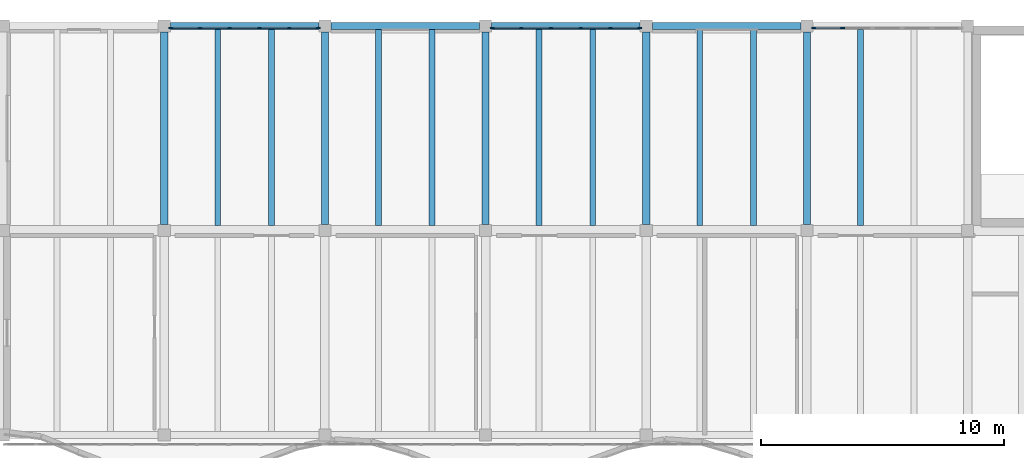
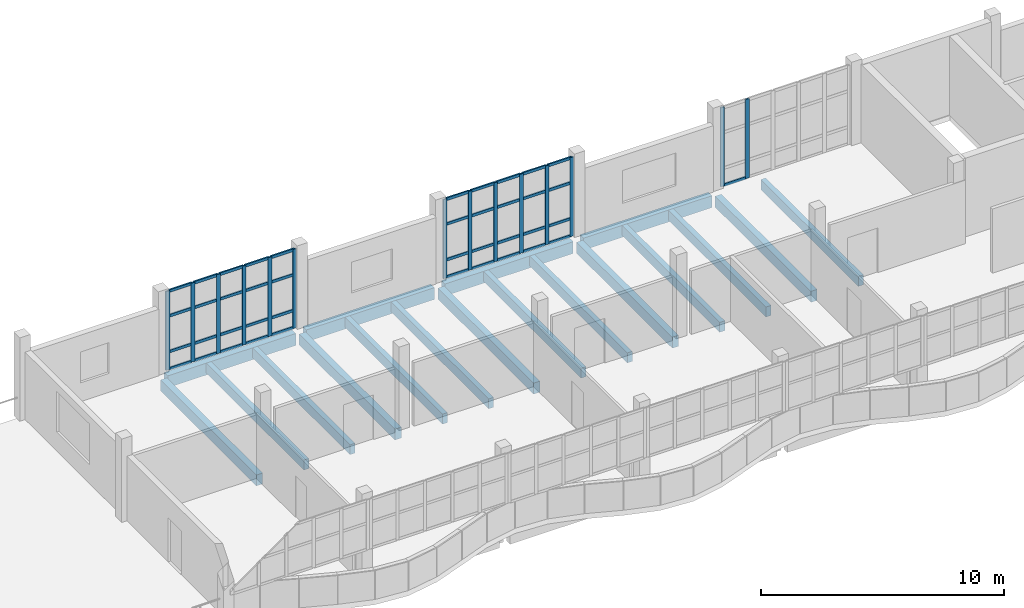
# One storey, part 11 of 47: 55 members, 18 beams, 3 elements without a shape of their own.
"""IFC4 building model written with IfcOpenShell, lengths in metres."""

from ifc_helpers import new_model, si_unit, direction, frame, origin, origin_2d, place, context, subcontext, project, spatial, rectangle, extrude, material, material_profile, profile_set, type_object, element, aggregate, save


model = new_model("IFC4")

# Units and contexts
model_context = context("Model", 3, precision=1e-05, world=origin(), true_north=direction((0.0, 1.0)))
body_context = subcontext(model_context, "Body", "Model", "MODEL_VIEW")
ifc_project = project(units=[si_unit("LENGTHUNIT", "METRE"), si_unit("AREAUNIT", "SQUARE_METRE"), si_unit("VOLUMEUNIT", "CUBIC_METRE"), si_unit("PLANEANGLEUNIT", "RADIAN"), si_unit("MASSUNIT", "GRAM", prefix="KILO")], contexts=[model_context])

# Site, building, storey
site_placement = place(None, origin())
site = spatial("IfcSite", under=ifc_project, at=site_placement, CompositionType="ELEMENT")
building_placement = place(site_placement, origin())
building = spatial("IfcBuilding", under=site, at=building_placement, Name="Qaldarim Faculty of Natural and Applied Sciences", CompositionType="ELEMENT")
storey_placement = place(building_placement, frame((0.0, 0.0, 22.800048828125)))
storey = spatial("IfcBuildingStorey", under=building, at=storey_placement, Name="L05", CompositionType="ELEMENT", Elevation=22.800048828125)

# Beams
ifc_material_1 = material(Name="Concrete C40/50", Category="concrete")
ifc_material_profile_1 = material_profile(ifc_material_1, rectangle(XDim=0.300048828125, YDim=0.550048828125, at=origin_2d()), Name="RC-B300x550")
ifc_profile_set_1 = profile_set([ifc_material_profile_1], Name="Concrete C40/50")
beam_type_1 = type_object("IfcBeamType", Name="FloorBeam-RC300x550", PredefinedType="BEAM", material=ifc_profile_set_1)
for number, where, z_axis, x_axis, name in (
    (1, (66.0, 109.449951171875, -0.53515625), (0.0, 1.0, 0.0), (-1.0, 0.0, 0.0), "Beam RC-B300x550 L04 X11/Y14-Y15"),
    (2, (72.60009765625, 109.449951171875, -0.53515625), (0.0, 1.0, 0.0), (-1.0, 0.0, 0.0), "Beam RC-B300x550 L04 X12/Y14-Y15"),
    (3, (79.199951171875, 109.449951171875, -0.53515625), (0.0, 1.0, 0.0), (-1.0, 0.0, 0.0), "Beam RC-B300x550 L04 X13/Y14-Y15"),
    (4, (85.800048828125, 109.449951171875, -0.53515625), (0.0, 1.0, 0.0), (-1.0, 0.0, 0.0), "Beam RC-B300x550 L04 X14/Y14-Y15"),
    (5, (92.39990234375, 109.449951171875, -0.53515625), (0.0, 1.0, 0.0), (-1.0, 0.0, 0.0), "Beam RC-B300x550 L04 X15/Y14-Y15"),
):
    element("IfcBeam", number, at=place(storey_placement, frame(where, z_axis=z_axis, x_axis=x_axis)), inside=storey, type_object=beam_type_1, Name=name, PredefinedType="BEAM", context=body_context, shape_type="SweptSolid", body=[
        extrude(rectangle(XDim=0.300048828125, YDim=0.550048828125, at=origin_2d()), origin(), (0.0, 0.0, 1.0), 7.900146484375),
    ])
ifc_material_profile_2 = material_profile(ifc_material_1, rectangle(XDim=0.239990234375, YDim=0.5, at=origin_2d()), Name="RC-J240x500")
ifc_profile_set_2 = profile_set([ifc_material_profile_2], Name="Concrete C40/50")
beam_type_2 = type_object("IfcBeamType", Name="HeavyJoist-RC240x500", PredefinedType="JOIST", material=ifc_profile_set_2)
for number, where, z_axis, x_axis, name in (
    (6, (68.199951171875, 109.39990234375, -0.510009765625), (0.0, 1.0, 0.0), (-1.0, 0.0, 0.0), "Laboratory joist L04 bay X11Y14-1"),
    (7, (70.39990234375, 109.39990234375, -0.510009765625), (0.0, 1.0, 0.0), (-1.0, 0.0, 0.0), "Laboratory joist L04 bay X11Y14-2"),
    (8, (74.800048828125, 109.39990234375, -0.510009765625), (0.0, 1.0, 0.0), (-1.0, 0.0, 0.0), "Laboratory joist L04 bay X12Y14-1"),
    (9, (77.0, 109.39990234375, -0.510009765625), (0.0, 1.0, 0.0), (-1.0, 0.0, 0.0), "Laboratory joist L04 bay X12Y14-2"),
    (10, (81.39990234375, 109.39990234375, -0.510009765625), (0.0, 1.0, 0.0), (-1.0, 0.0, 0.0), "Laboratory joist L04 bay X13Y14-1"),
    (11, (83.60009765625, 109.39990234375, -0.510009765625), (0.0, 1.0, 0.0), (-1.0, 0.0, 0.0), "Laboratory joist L04 bay X13Y14-2"),
    (12, (88.0, 109.39990234375, -0.510009765625), (0.0, 1.0, 0.0), (-1.0, 0.0, 0.0), "Laboratory joist L04 bay X14Y14-1"),
    (13, (90.199951171875, 109.39990234375, -0.510009765625), (0.0, 1.0, 0.0), (-1.0, 0.0, 0.0), "Laboratory joist L04 bay X14Y14-2"),
    (14, (94.60009765625, 109.39990234375, -0.510009765625), (0.0, 1.0, 0.0), (-1.0, 0.0, 0.0), "Laboratory joist L04 bay X15Y14-1"),
):
    element("IfcBeam", number, at=place(storey_placement, frame(where, z_axis=z_axis, x_axis=x_axis)), inside=storey, type_object=beam_type_2, Name=name, PredefinedType="JOIST", context=body_context, shape_type="SweptSolid", body=[
        extrude(rectangle(XDim=0.239990234375, YDim=0.5, at=origin_2d()), origin(), (0.0, 0.0, 1.0), 8.050048828125),
    ])

# Curtain wall, members
ifc_material_2 = material(Name="Anodised aluminium AW-6063", Category="aluminium")
curtain_wall_type = type_object("IfcCurtainWallType", Name="CurtainWallSystem-M1200", PredefinedType="USERDEFINED", material=ifc_material_2)
curtain_wall_1_placement = place(storey_placement, origin())
curtain_wall_1 = element("IfcCurtainWall", 15, at=curtain_wall_1_placement, inside=storey, type_object=curtain_wall_type, Name="Curtain wall CW-L05-N-X11Y14", ObjectType="STICK CURTAIN WALL", PredefinedType="USERDEFINED")
ifc_material_profile_3 = material_profile(ifc_material_2, rectangle(XDim=0.070068359375, YDim=0.179931640625, at=origin_2d()), Name="ALU-M70x180")
ifc_profile_set_3 = profile_set([ifc_material_profile_3], Name="Anodised aluminium AW-6063")
member_type_1 = type_object("IfcMemberType", Name="Mullion-ALU70x180", PredefinedType="MULLION", material=ifc_profile_set_3)
member_1_placement = place(storey_placement, frame((72.320068359375, 117.52001953125, 0.0), z_axis=(0.0, 0.0, 1.0), x_axis=(0.0, -1.0, 0.0)))
member_1 = element("IfcMember", 16, at=member_1_placement, type_object=member_type_1, Name="Mullion 1 of CW-L05-N-X11Y14", PredefinedType="MULLION", context=body_context, shape_type="SweptSolid", body=[
    extrude(rectangle(XDim=0.070068359375, YDim=0.179931640625, at=origin_2d()), origin(), (0.0, 0.0, 1.0), 3.97998046875),
])
member_2_placement = place(storey_placement, frame((71.133056640625, 117.52001953125, 0.0), z_axis=(0.0, 0.0, 1.0), x_axis=(0.0, -1.0, 0.0)))
member_2 = element("IfcMember", 17, at=member_2_placement, type_object=member_type_1, Name="Mullion 2 of CW-L05-N-X11Y14", PredefinedType="MULLION", context=body_context, shape_type="SweptSolid", body=[
    extrude(rectangle(XDim=0.070068359375, YDim=0.179931640625, at=origin_2d()), origin(), (0.0, 0.0, 1.0), 3.97998046875),
])
member_3_placement = place(storey_placement, frame((69.910888671875, 117.52001953125, 0.0), z_axis=(0.0, 0.0, 1.0), x_axis=(0.0, -1.0, 0.0)))
member_3 = element("IfcMember", 18, at=member_3_placement, type_object=member_type_1, Name="Mullion 3 of CW-L05-N-X11Y14", PredefinedType="MULLION", context=body_context, shape_type="SweptSolid", body=[
    extrude(rectangle(XDim=0.070068359375, YDim=0.179931640625, at=origin_2d()), origin(), (0.0, 0.0, 1.0), 3.97998046875),
])
member_4_placement = place(storey_placement, frame((68.68896484375, 117.52001953125, 0.0), z_axis=(0.0, 0.0, 1.0), x_axis=(0.0, -1.0, 0.0)))
member_4 = element("IfcMember", 19, at=member_4_placement, type_object=member_type_1, Name="Mullion 4 of CW-L05-N-X11Y14", PredefinedType="MULLION", context=body_context, shape_type="SweptSolid", body=[
    extrude(rectangle(XDim=0.070068359375, YDim=0.179931640625, at=origin_2d()), origin(), (0.0, 0.0, 1.0), 3.97998046875),
])
member_5_placement = place(storey_placement, frame((67.467041015625, 117.52001953125, 0.0), z_axis=(0.0, 0.0, 1.0), x_axis=(0.0, -1.0, 0.0)))
member_5 = element("IfcMember", 20, at=member_5_placement, type_object=member_type_1, Name="Mullion 5 of CW-L05-N-X11Y14", PredefinedType="MULLION", context=body_context, shape_type="SweptSolid", body=[
    extrude(rectangle(XDim=0.070068359375, YDim=0.179931640625, at=origin_2d()), origin(), (0.0, 0.0, 1.0), 3.97998046875),
])
member_6_placement = place(storey_placement, frame((66.280029296875, 117.52001953125, 0.0), z_axis=(0.0, 0.0, 1.0), x_axis=(0.0, -1.0, 0.0)))
member_6 = element("IfcMember", 21, at=member_6_placement, type_object=member_type_1, Name="Mullion 6 of CW-L05-N-X11Y14", PredefinedType="MULLION", context=body_context, shape_type="SweptSolid", body=[
    extrude(rectangle(XDim=0.070068359375, YDim=0.179931640625, at=origin_2d()), origin(), (0.0, 0.0, 1.0), 3.97998046875),
])

curtain_wall_2_placement = place(storey_placement, origin())
curtain_wall_2 = element("IfcCurtainWall", 22, at=curtain_wall_2_placement, inside=storey, type_object=curtain_wall_type, Name="Curtain wall CW-L05-N-X13Y14", ObjectType="STICK CURTAIN WALL", PredefinedType="USERDEFINED")
member_7_placement = place(storey_placement, frame((85.52001953125, 117.52001953125, 0.0), z_axis=(0.0, 0.0, 1.0), x_axis=(0.0, -1.0, 0.0)))
member_7 = element("IfcMember", 23, at=member_7_placement, type_object=member_type_1, Name="Mullion 1 of CW-L05-N-X13Y14", PredefinedType="MULLION", context=body_context, shape_type="SweptSolid", body=[
    extrude(rectangle(XDim=0.070068359375, YDim=0.179931640625, at=origin_2d()), origin(), (0.0, 0.0, 1.0), 3.97998046875),
])
member_8_placement = place(storey_placement, frame((84.3330078125, 117.52001953125, 0.0), z_axis=(0.0, 0.0, 1.0), x_axis=(0.0, -1.0, 0.0)))
member_8 = element("IfcMember", 24, at=member_8_placement, type_object=member_type_1, Name="Mullion 2 of CW-L05-N-X13Y14", PredefinedType="MULLION", context=body_context, shape_type="SweptSolid", body=[
    extrude(rectangle(XDim=0.070068359375, YDim=0.179931640625, at=origin_2d()), origin(), (0.0, 0.0, 1.0), 3.97998046875),
])
member_9_placement = place(storey_placement, frame((83.111083984375, 117.52001953125, 0.0), z_axis=(0.0, 0.0, 1.0), x_axis=(0.0, -1.0, 0.0)))
member_9 = element("IfcMember", 25, at=member_9_placement, type_object=member_type_1, Name="Mullion 3 of CW-L05-N-X13Y14", PredefinedType="MULLION", context=body_context, shape_type="SweptSolid", body=[
    extrude(rectangle(XDim=0.070068359375, YDim=0.179931640625, at=origin_2d()), origin(), (0.0, 0.0, 1.0), 3.97998046875),
])
member_10_placement = place(storey_placement, frame((81.888916015625, 117.52001953125, 0.0), z_axis=(0.0, 0.0, 1.0), x_axis=(0.0, -1.0, 0.0)))
member_10 = element("IfcMember", 26, at=member_10_placement, type_object=member_type_1, Name="Mullion 4 of CW-L05-N-X13Y14", PredefinedType="MULLION", context=body_context, shape_type="SweptSolid", body=[
    extrude(rectangle(XDim=0.070068359375, YDim=0.179931640625, at=origin_2d()), origin(), (0.0, 0.0, 1.0), 3.97998046875),
])
member_11_placement = place(storey_placement, frame((80.6669921875, 117.52001953125, 0.0), z_axis=(0.0, 0.0, 1.0), x_axis=(0.0, -1.0, 0.0)))
member_11 = element("IfcMember", 27, at=member_11_placement, type_object=member_type_1, Name="Mullion 5 of CW-L05-N-X13Y14", PredefinedType="MULLION", context=body_context, shape_type="SweptSolid", body=[
    extrude(rectangle(XDim=0.070068359375, YDim=0.179931640625, at=origin_2d()), origin(), (0.0, 0.0, 1.0), 3.97998046875),
])
member_12_placement = place(storey_placement, frame((79.47998046875, 117.52001953125, 0.0), z_axis=(0.0, 0.0, 1.0), x_axis=(0.0, -1.0, 0.0)))
member_12 = element("IfcMember", 28, at=member_12_placement, type_object=member_type_1, Name="Mullion 6 of CW-L05-N-X13Y14", PredefinedType="MULLION", context=body_context, shape_type="SweptSolid", body=[
    extrude(rectangle(XDim=0.070068359375, YDim=0.179931640625, at=origin_2d()), origin(), (0.0, 0.0, 1.0), 3.97998046875),
])

curtain_wall_3_placement = place(storey_placement, origin())
curtain_wall_3 = element("IfcCurtainWall", 29, at=curtain_wall_3_placement, inside=storey, type_object=curtain_wall_type, Name="Curtain wall CW-L05-N-X15Y14", ObjectType="STICK CURTAIN WALL", PredefinedType="USERDEFINED")
member_13_placement = place(storey_placement, frame((93.866943359375, 117.52001953125, 0.0), z_axis=(0.0, 0.0, 1.0), x_axis=(0.0, -1.0, 0.0)))
member_13 = element("IfcMember", 30, at=member_13_placement, type_object=member_type_1, Name="Mullion 5 of CW-L05-N-X15Y14", PredefinedType="MULLION", context=body_context, shape_type="SweptSolid", body=[
    extrude(rectangle(XDim=0.070068359375, YDim=0.179931640625, at=origin_2d()), origin(), (0.0, 0.0, 1.0), 3.97998046875),
])
member_14_placement = place(storey_placement, frame((92.679931640625, 117.52001953125, 0.0), z_axis=(0.0, 0.0, 1.0), x_axis=(0.0, -1.0, 0.0)))
member_14 = element("IfcMember", 31, at=member_14_placement, type_object=member_type_1, Name="Mullion 6 of CW-L05-N-X15Y14", PredefinedType="MULLION", context=body_context, shape_type="SweptSolid", body=[
    extrude(rectangle(XDim=0.070068359375, YDim=0.179931640625, at=origin_2d()), origin(), (0.0, 0.0, 1.0), 3.97998046875),
])

# Beams
ifc_material_3 = material(Name="Precast concrete C40/50", Category="concrete")
ifc_material_profile_4 = material_profile(ifc_material_3, rectangle(XDim=0.300048828125, YDim=0.60009765625, at=origin_2d()), Name="RC-SP300x600")
ifc_profile_set_4 = profile_set([ifc_material_profile_4], Name="Precast concrete C40/50")
beam_type_3 = type_object("IfcBeamType", Name="SpandrelBeam-RC300x600", PredefinedType="SPANDREL", material=ifc_profile_set_4)
beam_1_placement = place(storey_placement, frame((66.25, 117.60009765625, -0.56005859375), z_axis=(1.0, 0.0, 0.0), x_axis=(0.0, 1.0, 0.0)))
element("IfcBeam", 32, at=beam_1_placement, inside=storey, type_object=beam_type_3, Name="Beam RC-SP300x600 L04 X11-X12/Y15", PredefinedType="SPANDREL", context=body_context, shape_type="SweptSolid", body=[
    extrude(rectangle(XDim=0.300048828125, YDim=0.60009765625, at=origin_2d()), origin(), (0.0, 0.0, 1.0), 6.10009765625),
])
beam_2_placement = place(storey_placement, frame((72.85009765625, 117.60009765625, -0.56005859375), z_axis=(1.0, 0.0, 0.0), x_axis=(0.0, 1.0, 0.0)))
element("IfcBeam", 33, at=beam_2_placement, inside=storey, type_object=beam_type_3, Name="Beam RC-SP300x600 L04 X12-X13/Y15", PredefinedType="SPANDREL", context=body_context, shape_type="SweptSolid", body=[
    extrude(rectangle(XDim=0.300048828125, YDim=0.60009765625, at=origin_2d()), origin(), (0.0, 0.0, 1.0), 6.099853515625),
])
beam_3_placement = place(storey_placement, frame((79.449951171875, 117.60009765625, -0.56005859375), z_axis=(1.0, 0.0, 0.0), x_axis=(0.0, 1.0, 0.0)))
element("IfcBeam", 34, at=beam_3_placement, inside=storey, type_object=beam_type_3, Name="Beam RC-SP300x600 L04 X13-X14/Y15", PredefinedType="SPANDREL", context=body_context, shape_type="SweptSolid", body=[
    extrude(rectangle(XDim=0.300048828125, YDim=0.60009765625, at=origin_2d()), origin(), (0.0, 0.0, 1.0), 6.10009765625),
])
beam_4_placement = place(storey_placement, frame((86.050048828125, 117.60009765625, -0.56005859375), z_axis=(1.0, 0.0, 0.0), x_axis=(0.0, 1.0, 0.0)))
element("IfcBeam", 35, at=beam_4_placement, inside=storey, type_object=beam_type_3, Name="Beam RC-SP300x600 L04 X14-X15/Y15", PredefinedType="SPANDREL", context=body_context, shape_type="SweptSolid", body=[
    extrude(rectangle(XDim=0.300048828125, YDim=0.60009765625, at=origin_2d()), origin(), (0.0, 0.0, 1.0), 6.099853515625),
])

# Member
ifc_material_profile_5 = material_profile(ifc_material_2, rectangle(XDim=0.070068359375, YDim=0.139892578125, at=origin_2d()), Name="ALU-T70x140")
ifc_profile_set_5 = profile_set([ifc_material_profile_5], Name="Anodised aluminium AW-6063")
member_type_2 = type_object("IfcMemberType", Name="Transom-ALU70x140", PredefinedType="USERDEFINED", material=ifc_profile_set_5)
member_15_placement = place(storey_placement, frame((72.284912109375, 117.52001953125, 0.034912109375), z_axis=(-1.0, 0.0, 0.0), x_axis=(0.0, -1.0, 0.0)))
member_15 = element("IfcMember", 36, at=member_15_placement, type_object=member_type_2, Name="Transom 1-1 of CW-L05-N-X11Y14", ObjectType="TRANSOM", PredefinedType="USERDEFINED", context=body_context, shape_type="SweptSolid", body=[
    extrude(rectangle(XDim=0.070068359375, YDim=0.139892578125, at=origin_2d()), origin(), (0.0, 0.0, 1.0), 1.116943359375),
])

member_16_placement = place(storey_placement, frame((72.284912109375, 117.52001953125, 0.89990234375), z_axis=(-1.0, 0.0, 0.0), x_axis=(0.0, -1.0, 0.0)))
member_16 = element("IfcMember", 37, at=member_16_placement, type_object=member_type_2, Name="Transom 1-2 of CW-L05-N-X11Y14", ObjectType="TRANSOM", PredefinedType="USERDEFINED", context=body_context, shape_type="SweptSolid", body=[
    extrude(rectangle(XDim=0.070068359375, YDim=0.139892578125, at=origin_2d()), origin(), (0.0, 0.0, 1.0), 1.116943359375),
])

member_17_placement = place(storey_placement, frame((72.284912109375, 117.52001953125, 2.699951171875), z_axis=(-1.0, 0.0, 0.0), x_axis=(0.0, -1.0, 0.0)))
member_17 = element("IfcMember", 38, at=member_17_placement, type_object=member_type_2, Name="Transom 1-3 of CW-L05-N-X11Y14", ObjectType="TRANSOM", PredefinedType="USERDEFINED", context=body_context, shape_type="SweptSolid", body=[
    extrude(rectangle(XDim=0.070068359375, YDim=0.139892578125, at=origin_2d()), origin(), (0.0, 0.0, 1.0), 1.116943359375),
])

member_18_placement = place(storey_placement, frame((72.284912109375, 117.52001953125, 3.945068359375), z_axis=(-1.0, 0.0, 0.0), x_axis=(0.0, -1.0, 0.0)))
member_18 = element("IfcMember", 39, at=member_18_placement, type_object=member_type_2, Name="Transom 1-4 of CW-L05-N-X11Y14", ObjectType="TRANSOM", PredefinedType="USERDEFINED", context=body_context, shape_type="SweptSolid", body=[
    extrude(rectangle(XDim=0.070068359375, YDim=0.139892578125, at=origin_2d()), origin(), (0.0, 0.0, 1.0), 1.116943359375),
])

member_19_placement = place(storey_placement, frame((71.097900390625, 117.52001953125, 0.034912109375), z_axis=(-1.0, 0.0, 0.0), x_axis=(0.0, -1.0, 0.0)))
member_19 = element("IfcMember", 40, at=member_19_placement, type_object=member_type_2, Name="Transom 2-1 of CW-L05-N-X11Y14", ObjectType="TRANSOM", PredefinedType="USERDEFINED", context=body_context, shape_type="SweptSolid", body=[
    extrude(rectangle(XDim=0.070068359375, YDim=0.139892578125, at=origin_2d()), origin(), (0.0, 0.0, 1.0), 1.15185546875),
])

member_20_placement = place(storey_placement, frame((71.097900390625, 117.52001953125, 0.89990234375), z_axis=(-1.0, 0.0, 0.0), x_axis=(0.0, -1.0, 0.0)))
member_20 = element("IfcMember", 41, at=member_20_placement, type_object=member_type_2, Name="Transom 2-2 of CW-L05-N-X11Y14", ObjectType="TRANSOM", PredefinedType="USERDEFINED", context=body_context, shape_type="SweptSolid", body=[
    extrude(rectangle(XDim=0.070068359375, YDim=0.139892578125, at=origin_2d()), origin(), (0.0, 0.0, 1.0), 1.15185546875),
])

member_21_placement = place(storey_placement, frame((71.097900390625, 117.52001953125, 2.699951171875), z_axis=(-1.0, 0.0, 0.0), x_axis=(0.0, -1.0, 0.0)))
member_21 = element("IfcMember", 42, at=member_21_placement, type_object=member_type_2, Name="Transom 2-3 of CW-L05-N-X11Y14", ObjectType="TRANSOM", PredefinedType="USERDEFINED", context=body_context, shape_type="SweptSolid", body=[
    extrude(rectangle(XDim=0.070068359375, YDim=0.139892578125, at=origin_2d()), origin(), (0.0, 0.0, 1.0), 1.15185546875),
])

member_22_placement = place(storey_placement, frame((71.097900390625, 117.52001953125, 3.945068359375), z_axis=(-1.0, 0.0, 0.0), x_axis=(0.0, -1.0, 0.0)))
member_22 = element("IfcMember", 43, at=member_22_placement, type_object=member_type_2, Name="Transom 2-4 of CW-L05-N-X11Y14", ObjectType="TRANSOM", PredefinedType="USERDEFINED", context=body_context, shape_type="SweptSolid", body=[
    extrude(rectangle(XDim=0.070068359375, YDim=0.139892578125, at=origin_2d()), origin(), (0.0, 0.0, 1.0), 1.15185546875),
])

member_23_placement = place(storey_placement, frame((69.8759765625, 117.52001953125, 0.034912109375), z_axis=(-1.0, 0.0, 0.0), x_axis=(0.0, -1.0, 0.0)))
member_23 = element("IfcMember", 44, at=member_23_placement, type_object=member_type_2, Name="Transom 3-1 of CW-L05-N-X11Y14", ObjectType="TRANSOM", PredefinedType="USERDEFINED", context=body_context, shape_type="SweptSolid", body=[
    extrude(rectangle(XDim=0.070068359375, YDim=0.139892578125, at=origin_2d()), origin(), (0.0, 0.0, 1.0), 1.15185546875),
])

member_24_placement = place(storey_placement, frame((69.8759765625, 117.52001953125, 0.89990234375), z_axis=(-1.0, 0.0, 0.0), x_axis=(0.0, -1.0, 0.0)))
member_24 = element("IfcMember", 45, at=member_24_placement, type_object=member_type_2, Name="Transom 3-2 of CW-L05-N-X11Y14", ObjectType="TRANSOM", PredefinedType="USERDEFINED", context=body_context, shape_type="SweptSolid", body=[
    extrude(rectangle(XDim=0.070068359375, YDim=0.139892578125, at=origin_2d()), origin(), (0.0, 0.0, 1.0), 1.15185546875),
])

member_25_placement = place(storey_placement, frame((69.8759765625, 117.52001953125, 2.699951171875), z_axis=(-1.0, 0.0, 0.0), x_axis=(0.0, -1.0, 0.0)))
member_25 = element("IfcMember", 46, at=member_25_placement, type_object=member_type_2, Name="Transom 3-3 of CW-L05-N-X11Y14", ObjectType="TRANSOM", PredefinedType="USERDEFINED", context=body_context, shape_type="SweptSolid", body=[
    extrude(rectangle(XDim=0.070068359375, YDim=0.139892578125, at=origin_2d()), origin(), (0.0, 0.0, 1.0), 1.15185546875),
])

member_26_placement = place(storey_placement, frame((69.8759765625, 117.52001953125, 3.945068359375), z_axis=(-1.0, 0.0, 0.0), x_axis=(0.0, -1.0, 0.0)))
member_26 = element("IfcMember", 47, at=member_26_placement, type_object=member_type_2, Name="Transom 3-4 of CW-L05-N-X11Y14", ObjectType="TRANSOM", PredefinedType="USERDEFINED", context=body_context, shape_type="SweptSolid", body=[
    extrude(rectangle(XDim=0.070068359375, YDim=0.139892578125, at=origin_2d()), origin(), (0.0, 0.0, 1.0), 1.15185546875),
])

member_27_placement = place(storey_placement, frame((68.654052734375, 117.52001953125, 0.034912109375), z_axis=(-1.0, 0.0, 0.0), x_axis=(0.0, -1.0, 0.0)))
member_27 = element("IfcMember", 48, at=member_27_placement, type_object=member_type_2, Name="Transom 4-1 of CW-L05-N-X11Y14", ObjectType="TRANSOM", PredefinedType="USERDEFINED", context=body_context, shape_type="SweptSolid", body=[
    extrude(rectangle(XDim=0.070068359375, YDim=0.139892578125, at=origin_2d()), origin(), (0.0, 0.0, 1.0), 1.152099609375),
])

member_28_placement = place(storey_placement, frame((68.654052734375, 117.52001953125, 0.89990234375), z_axis=(-1.0, 0.0, 0.0), x_axis=(0.0, -1.0, 0.0)))
member_28 = element("IfcMember", 49, at=member_28_placement, type_object=member_type_2, Name="Transom 4-2 of CW-L05-N-X11Y14", ObjectType="TRANSOM", PredefinedType="USERDEFINED", context=body_context, shape_type="SweptSolid", body=[
    extrude(rectangle(XDim=0.070068359375, YDim=0.139892578125, at=origin_2d()), origin(), (0.0, 0.0, 1.0), 1.152099609375),
])

member_29_placement = place(storey_placement, frame((68.654052734375, 117.52001953125, 2.699951171875), z_axis=(-1.0, 0.0, 0.0), x_axis=(0.0, -1.0, 0.0)))
member_29 = element("IfcMember", 50, at=member_29_placement, type_object=member_type_2, Name="Transom 4-3 of CW-L05-N-X11Y14", ObjectType="TRANSOM", PredefinedType="USERDEFINED", context=body_context, shape_type="SweptSolid", body=[
    extrude(rectangle(XDim=0.070068359375, YDim=0.139892578125, at=origin_2d()), origin(), (0.0, 0.0, 1.0), 1.152099609375),
])

member_30_placement = place(storey_placement, frame((68.654052734375, 117.52001953125, 3.945068359375), z_axis=(-1.0, 0.0, 0.0), x_axis=(0.0, -1.0, 0.0)))
member_30 = element("IfcMember", 51, at=member_30_placement, type_object=member_type_2, Name="Transom 4-4 of CW-L05-N-X11Y14", ObjectType="TRANSOM", PredefinedType="USERDEFINED", context=body_context, shape_type="SweptSolid", body=[
    extrude(rectangle(XDim=0.070068359375, YDim=0.139892578125, at=origin_2d()), origin(), (0.0, 0.0, 1.0), 1.152099609375),
])

member_31_placement = place(storey_placement, frame((67.431884765625, 117.52001953125, 0.034912109375), z_axis=(-1.0, 0.0, 0.0), x_axis=(0.0, -1.0, 0.0)))
member_31 = element("IfcMember", 52, at=member_31_placement, type_object=member_type_2, Name="Transom 5-1 of CW-L05-N-X11Y14", ObjectType="TRANSOM", PredefinedType="USERDEFINED", context=body_context, shape_type="SweptSolid", body=[
    extrude(rectangle(XDim=0.070068359375, YDim=0.139892578125, at=origin_2d()), origin(), (0.0, 0.0, 1.0), 1.116943359375),
])

member_32_placement = place(storey_placement, frame((67.431884765625, 117.52001953125, 0.89990234375), z_axis=(-1.0, 0.0, 0.0), x_axis=(0.0, -1.0, 0.0)))
member_32 = element("IfcMember", 53, at=member_32_placement, type_object=member_type_2, Name="Transom 5-2 of CW-L05-N-X11Y14", ObjectType="TRANSOM", PredefinedType="USERDEFINED", context=body_context, shape_type="SweptSolid", body=[
    extrude(rectangle(XDim=0.070068359375, YDim=0.139892578125, at=origin_2d()), origin(), (0.0, 0.0, 1.0), 1.116943359375),
])

member_33_placement = place(storey_placement, frame((67.431884765625, 117.52001953125, 2.699951171875), z_axis=(-1.0, 0.0, 0.0), x_axis=(0.0, -1.0, 0.0)))
member_33 = element("IfcMember", 54, at=member_33_placement, type_object=member_type_2, Name="Transom 5-3 of CW-L05-N-X11Y14", ObjectType="TRANSOM", PredefinedType="USERDEFINED", context=body_context, shape_type="SweptSolid", body=[
    extrude(rectangle(XDim=0.070068359375, YDim=0.139892578125, at=origin_2d()), origin(), (0.0, 0.0, 1.0), 1.116943359375),
])

member_34_placement = place(storey_placement, frame((67.431884765625, 117.52001953125, 3.945068359375), z_axis=(-1.0, 0.0, 0.0), x_axis=(0.0, -1.0, 0.0)))
member_34 = element("IfcMember", 55, at=member_34_placement, type_object=member_type_2, Name="Transom 5-4 of CW-L05-N-X11Y14", ObjectType="TRANSOM", PredefinedType="USERDEFINED", context=body_context, shape_type="SweptSolid", body=[
    extrude(rectangle(XDim=0.070068359375, YDim=0.139892578125, at=origin_2d()), origin(), (0.0, 0.0, 1.0), 1.116943359375),
])

aggregate(curtain_wall_1, [member_1, member_2, member_3, member_4, member_5, member_6, member_15, member_16, member_17, member_18, member_19, member_20, member_21, member_22, member_23, member_24, member_25, member_26, member_27, member_28, member_29, member_30, member_31, member_32, member_33, member_34])

member_35_placement = place(storey_placement, frame((85.485107421875, 117.52001953125, 0.034912109375), z_axis=(-1.0, 0.0, 0.0), x_axis=(0.0, -1.0, 0.0)))
member_35 = element("IfcMember", 56, at=member_35_placement, type_object=member_type_2, Name="Transom 1-1 of CW-L05-N-X13Y14", ObjectType="TRANSOM", PredefinedType="USERDEFINED", context=body_context, shape_type="SweptSolid", body=[
    extrude(rectangle(XDim=0.070068359375, YDim=0.139892578125, at=origin_2d()), origin(), (0.0, 0.0, 1.0), 1.1171875),
])

member_36_placement = place(storey_placement, frame((85.485107421875, 117.52001953125, 0.89990234375), z_axis=(-1.0, 0.0, 0.0), x_axis=(0.0, -1.0, 0.0)))
member_36 = element("IfcMember", 57, at=member_36_placement, type_object=member_type_2, Name="Transom 1-2 of CW-L05-N-X13Y14", ObjectType="TRANSOM", PredefinedType="USERDEFINED", context=body_context, shape_type="SweptSolid", body=[
    extrude(rectangle(XDim=0.070068359375, YDim=0.139892578125, at=origin_2d()), origin(), (0.0, 0.0, 1.0), 1.1171875),
])

member_37_placement = place(storey_placement, frame((85.485107421875, 117.52001953125, 2.699951171875), z_axis=(-1.0, 0.0, 0.0), x_axis=(0.0, -1.0, 0.0)))
member_37 = element("IfcMember", 58, at=member_37_placement, type_object=member_type_2, Name="Transom 1-3 of CW-L05-N-X13Y14", ObjectType="TRANSOM", PredefinedType="USERDEFINED", context=body_context, shape_type="SweptSolid", body=[
    extrude(rectangle(XDim=0.070068359375, YDim=0.139892578125, at=origin_2d()), origin(), (0.0, 0.0, 1.0), 1.1171875),
])

member_38_placement = place(storey_placement, frame((85.485107421875, 117.52001953125, 3.945068359375), z_axis=(-1.0, 0.0, 0.0), x_axis=(0.0, -1.0, 0.0)))
member_38 = element("IfcMember", 59, at=member_38_placement, type_object=member_type_2, Name="Transom 1-4 of CW-L05-N-X13Y14", ObjectType="TRANSOM", PredefinedType="USERDEFINED", context=body_context, shape_type="SweptSolid", body=[
    extrude(rectangle(XDim=0.070068359375, YDim=0.139892578125, at=origin_2d()), origin(), (0.0, 0.0, 1.0), 1.1171875),
])

member_39_placement = place(storey_placement, frame((84.298095703125, 117.52001953125, 0.034912109375), z_axis=(-1.0, 0.0, 0.0), x_axis=(0.0, -1.0, 0.0)))
member_39 = element("IfcMember", 60, at=member_39_placement, type_object=member_type_2, Name="Transom 2-1 of CW-L05-N-X13Y14", ObjectType="TRANSOM", PredefinedType="USERDEFINED", context=body_context, shape_type="SweptSolid", body=[
    extrude(rectangle(XDim=0.070068359375, YDim=0.139892578125, at=origin_2d()), origin(), (0.0, 0.0, 1.0), 1.152099609375),
])

member_40_placement = place(storey_placement, frame((84.298095703125, 117.52001953125, 0.89990234375), z_axis=(-1.0, 0.0, 0.0), x_axis=(0.0, -1.0, 0.0)))
member_40 = element("IfcMember", 61, at=member_40_placement, type_object=member_type_2, Name="Transom 2-2 of CW-L05-N-X13Y14", ObjectType="TRANSOM", PredefinedType="USERDEFINED", context=body_context, shape_type="SweptSolid", body=[
    extrude(rectangle(XDim=0.070068359375, YDim=0.139892578125, at=origin_2d()), origin(), (0.0, 0.0, 1.0), 1.152099609375),
])

member_41_placement = place(storey_placement, frame((84.298095703125, 117.52001953125, 2.699951171875), z_axis=(-1.0, 0.0, 0.0), x_axis=(0.0, -1.0, 0.0)))
member_41 = element("IfcMember", 62, at=member_41_placement, type_object=member_type_2, Name="Transom 2-3 of CW-L05-N-X13Y14", ObjectType="TRANSOM", PredefinedType="USERDEFINED", context=body_context, shape_type="SweptSolid", body=[
    extrude(rectangle(XDim=0.070068359375, YDim=0.139892578125, at=origin_2d()), origin(), (0.0, 0.0, 1.0), 1.152099609375),
])

member_42_placement = place(storey_placement, frame((84.298095703125, 117.52001953125, 3.945068359375), z_axis=(-1.0, 0.0, 0.0), x_axis=(0.0, -1.0, 0.0)))
member_42 = element("IfcMember", 63, at=member_42_placement, type_object=member_type_2, Name="Transom 2-4 of CW-L05-N-X13Y14", ObjectType="TRANSOM", PredefinedType="USERDEFINED", context=body_context, shape_type="SweptSolid", body=[
    extrude(rectangle(XDim=0.070068359375, YDim=0.139892578125, at=origin_2d()), origin(), (0.0, 0.0, 1.0), 1.152099609375),
])

member_43_placement = place(storey_placement, frame((83.075927734375, 117.52001953125, 0.034912109375), z_axis=(-1.0, 0.0, 0.0), x_axis=(0.0, -1.0, 0.0)))
member_43 = element("IfcMember", 64, at=member_43_placement, type_object=member_type_2, Name="Transom 3-1 of CW-L05-N-X13Y14", ObjectType="TRANSOM", PredefinedType="USERDEFINED", context=body_context, shape_type="SweptSolid", body=[
    extrude(rectangle(XDim=0.070068359375, YDim=0.139892578125, at=origin_2d()), origin(), (0.0, 0.0, 1.0), 1.15185546875),
])

member_44_placement = place(storey_placement, frame((83.075927734375, 117.52001953125, 0.89990234375), z_axis=(-1.0, 0.0, 0.0), x_axis=(0.0, -1.0, 0.0)))
member_44 = element("IfcMember", 65, at=member_44_placement, type_object=member_type_2, Name="Transom 3-2 of CW-L05-N-X13Y14", ObjectType="TRANSOM", PredefinedType="USERDEFINED", context=body_context, shape_type="SweptSolid", body=[
    extrude(rectangle(XDim=0.070068359375, YDim=0.139892578125, at=origin_2d()), origin(), (0.0, 0.0, 1.0), 1.15185546875),
])

member_45_placement = place(storey_placement, frame((83.075927734375, 117.52001953125, 2.699951171875), z_axis=(-1.0, 0.0, 0.0), x_axis=(0.0, -1.0, 0.0)))
member_45 = element("IfcMember", 66, at=member_45_placement, type_object=member_type_2, Name="Transom 3-3 of CW-L05-N-X13Y14", ObjectType="TRANSOM", PredefinedType="USERDEFINED", context=body_context, shape_type="SweptSolid", body=[
    extrude(rectangle(XDim=0.070068359375, YDim=0.139892578125, at=origin_2d()), origin(), (0.0, 0.0, 1.0), 1.15185546875),
])

member_46_placement = place(storey_placement, frame((83.075927734375, 117.52001953125, 3.945068359375), z_axis=(-1.0, 0.0, 0.0), x_axis=(0.0, -1.0, 0.0)))
member_46 = element("IfcMember", 67, at=member_46_placement, type_object=member_type_2, Name="Transom 3-4 of CW-L05-N-X13Y14", ObjectType="TRANSOM", PredefinedType="USERDEFINED", context=body_context, shape_type="SweptSolid", body=[
    extrude(rectangle(XDim=0.070068359375, YDim=0.139892578125, at=origin_2d()), origin(), (0.0, 0.0, 1.0), 1.15185546875),
])

member_47_placement = place(storey_placement, frame((81.85400390625, 117.52001953125, 0.034912109375), z_axis=(-1.0, 0.0, 0.0), x_axis=(0.0, -1.0, 0.0)))
member_47 = element("IfcMember", 68, at=member_47_placement, type_object=member_type_2, Name="Transom 4-1 of CW-L05-N-X13Y14", ObjectType="TRANSOM", PredefinedType="USERDEFINED", context=body_context, shape_type="SweptSolid", body=[
    extrude(rectangle(XDim=0.070068359375, YDim=0.139892578125, at=origin_2d()), origin(), (0.0, 0.0, 1.0), 1.152099609375),
])

member_48_placement = place(storey_placement, frame((81.85400390625, 117.52001953125, 0.89990234375), z_axis=(-1.0, 0.0, 0.0), x_axis=(0.0, -1.0, 0.0)))
member_48 = element("IfcMember", 69, at=member_48_placement, type_object=member_type_2, Name="Transom 4-2 of CW-L05-N-X13Y14", ObjectType="TRANSOM", PredefinedType="USERDEFINED", context=body_context, shape_type="SweptSolid", body=[
    extrude(rectangle(XDim=0.070068359375, YDim=0.139892578125, at=origin_2d()), origin(), (0.0, 0.0, 1.0), 1.152099609375),
])

member_49_placement = place(storey_placement, frame((81.85400390625, 117.52001953125, 2.699951171875), z_axis=(-1.0, 0.0, 0.0), x_axis=(0.0, -1.0, 0.0)))
member_49 = element("IfcMember", 70, at=member_49_placement, type_object=member_type_2, Name="Transom 4-3 of CW-L05-N-X13Y14", ObjectType="TRANSOM", PredefinedType="USERDEFINED", context=body_context, shape_type="SweptSolid", body=[
    extrude(rectangle(XDim=0.070068359375, YDim=0.139892578125, at=origin_2d()), origin(), (0.0, 0.0, 1.0), 1.152099609375),
])

member_50_placement = place(storey_placement, frame((81.85400390625, 117.52001953125, 3.945068359375), z_axis=(-1.0, 0.0, 0.0), x_axis=(0.0, -1.0, 0.0)))
member_50 = element("IfcMember", 71, at=member_50_placement, type_object=member_type_2, Name="Transom 4-4 of CW-L05-N-X13Y14", ObjectType="TRANSOM", PredefinedType="USERDEFINED", context=body_context, shape_type="SweptSolid", body=[
    extrude(rectangle(XDim=0.070068359375, YDim=0.139892578125, at=origin_2d()), origin(), (0.0, 0.0, 1.0), 1.152099609375),
])

member_51_placement = place(storey_placement, frame((80.632080078125, 117.52001953125, 0.034912109375), z_axis=(-1.0, 0.0, 0.0), x_axis=(0.0, -1.0, 0.0)))
member_51 = element("IfcMember", 72, at=member_51_placement, type_object=member_type_2, Name="Transom 5-1 of CW-L05-N-X13Y14", ObjectType="TRANSOM", PredefinedType="USERDEFINED", context=body_context, shape_type="SweptSolid", body=[
    extrude(rectangle(XDim=0.070068359375, YDim=0.139892578125, at=origin_2d()), origin(), (0.0, 0.0, 1.0), 1.1171875),
])

member_52_placement = place(storey_placement, frame((80.632080078125, 117.52001953125, 0.89990234375), z_axis=(-1.0, 0.0, 0.0), x_axis=(0.0, -1.0, 0.0)))
member_52 = element("IfcMember", 73, at=member_52_placement, type_object=member_type_2, Name="Transom 5-2 of CW-L05-N-X13Y14", ObjectType="TRANSOM", PredefinedType="USERDEFINED", context=body_context, shape_type="SweptSolid", body=[
    extrude(rectangle(XDim=0.070068359375, YDim=0.139892578125, at=origin_2d()), origin(), (0.0, 0.0, 1.0), 1.1171875),
])

member_53_placement = place(storey_placement, frame((80.632080078125, 117.52001953125, 2.699951171875), z_axis=(-1.0, 0.0, 0.0), x_axis=(0.0, -1.0, 0.0)))
member_53 = element("IfcMember", 74, at=member_53_placement, type_object=member_type_2, Name="Transom 5-3 of CW-L05-N-X13Y14", ObjectType="TRANSOM", PredefinedType="USERDEFINED", context=body_context, shape_type="SweptSolid", body=[
    extrude(rectangle(XDim=0.070068359375, YDim=0.139892578125, at=origin_2d()), origin(), (0.0, 0.0, 1.0), 1.1171875),
])

member_54_placement = place(storey_placement, frame((80.632080078125, 117.52001953125, 3.945068359375), z_axis=(-1.0, 0.0, 0.0), x_axis=(0.0, -1.0, 0.0)))
member_54 = element("IfcMember", 75, at=member_54_placement, type_object=member_type_2, Name="Transom 5-4 of CW-L05-N-X13Y14", ObjectType="TRANSOM", PredefinedType="USERDEFINED", context=body_context, shape_type="SweptSolid", body=[
    extrude(rectangle(XDim=0.070068359375, YDim=0.139892578125, at=origin_2d()), origin(), (0.0, 0.0, 1.0), 1.1171875),
])

aggregate(curtain_wall_2, [member_7, member_8, member_9, member_10, member_11, member_12, member_35, member_36, member_37, member_38, member_39, member_40, member_41, member_42, member_43, member_44, member_45, member_46, member_47, member_48, member_49, member_50, member_51, member_52, member_53, member_54])

member_55_placement = place(storey_placement, frame((93.83203125, 117.52001953125, 0.034912109375), z_axis=(-1.0, 0.0, 0.0), x_axis=(0.0, -1.0, 0.0)))
member_55 = element("IfcMember", 76, at=member_55_placement, type_object=member_type_2, Name="Transom 5-1 of CW-L05-N-X15Y14", ObjectType="TRANSOM", PredefinedType="USERDEFINED", context=body_context, shape_type="SweptSolid", body=[
    extrude(rectangle(XDim=0.070068359375, YDim=0.139892578125, at=origin_2d()), origin(), (0.0, 0.0, 1.0), 1.116943359375),
])

aggregate(curtain_wall_3, [member_13, member_14, member_55])

save(model, "model.ifc")
